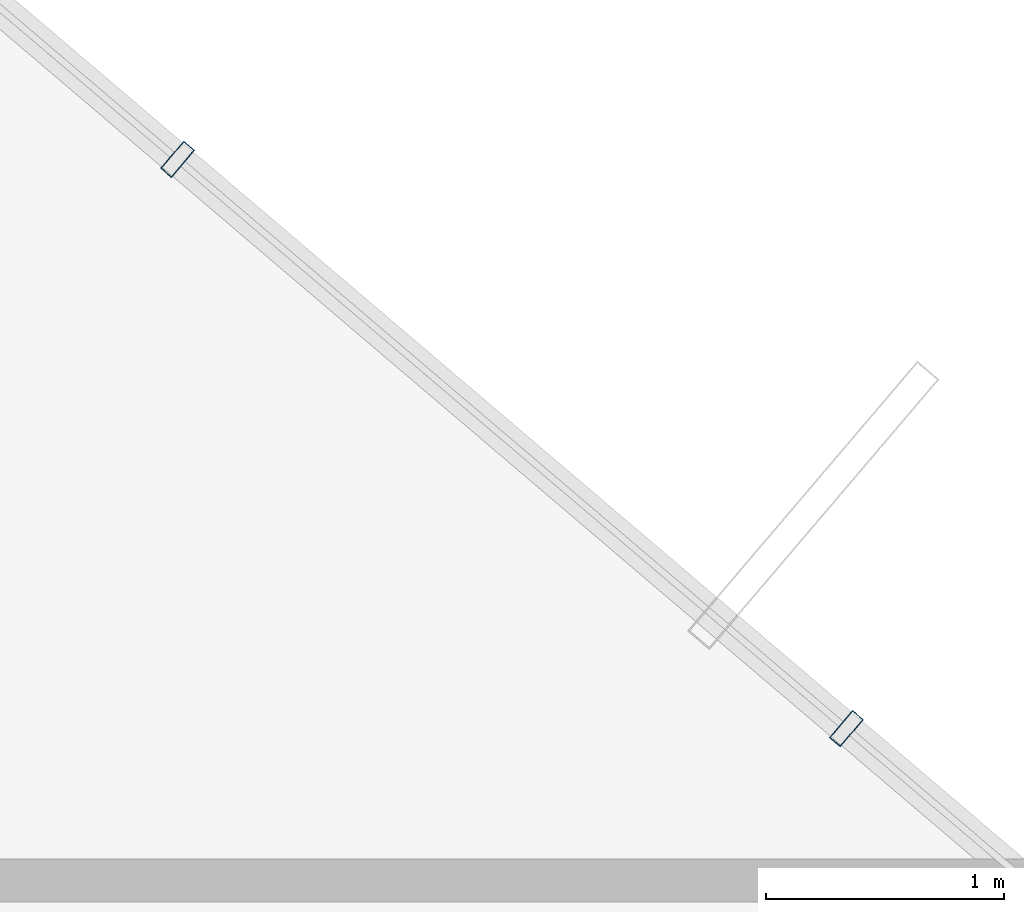
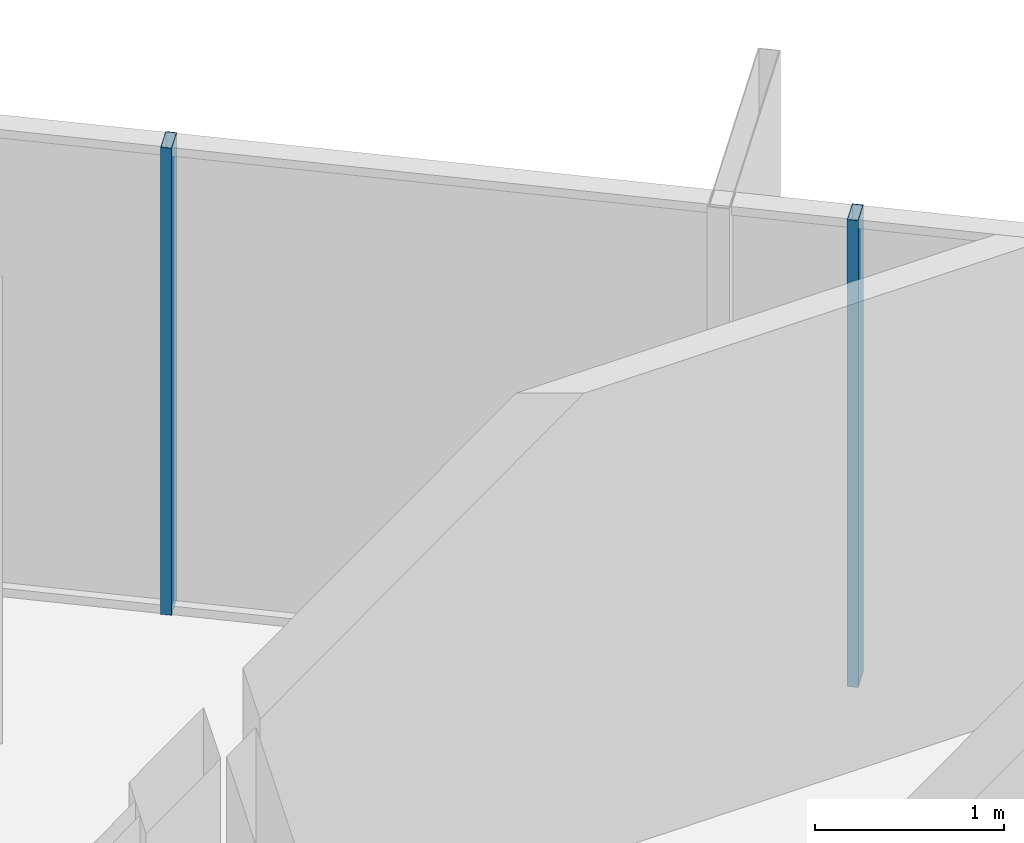
# One storey, part 16 of 29: 2 members, 1 element without a shape of its own.
"""IFC4 building model written with IfcOpenShell, lengths in metres."""

from ifc_helpers import new_model, si_unit, direction, frame, origin, origin_2d, place, context, subcontext, project, spatial, hollow_rectangle, extrude, source, transform, mapped, material, layer, layer_set, material_profile, profile_set, type_object, element, aggregate, save


model = new_model("IFC4")

# Units and contexts
model_context = context("Model", 3, precision=1e-05, world=origin(), true_north=direction((0.0, 1.0)))
body_context = subcontext(model_context, "Body", "Model", "MODEL_VIEW")
ifc_project = project(units=[si_unit("LENGTHUNIT", "METRE"), si_unit("AREAUNIT", "SQUARE_METRE"), si_unit("VOLUMEUNIT", "CUBIC_METRE"), si_unit("PLANEANGLEUNIT", "RADIAN"), si_unit("MASSUNIT", "GRAM", prefix="KILO")], contexts=[model_context])

# Site, building, storey
site_placement = place(None, origin())
site = spatial("IfcSite", under=ifc_project, at=site_placement, CompositionType="ELEMENT")
building_placement = place(site_placement, origin())
building = spatial("IfcBuilding", under=site, at=building_placement, Name="Veraguas Prism Commons", CompositionType="ELEMENT")
storey_placement = place(building_placement, frame((0.0, 0.0, 244.75)))
storey = spatial("IfcBuildingStorey", under=building, at=storey_placement, Name="L69", CompositionType="ELEMENT", Elevation=244.75)

# Curtain wall, members
ifc_material = material(Name="Anodised aluminium EN AW-6063 T6", Category="aluminium")
ifc_layer = layer(ifc_material, 0.14990234375, Name="Unitised Flush Curtain Wall Zone 4", Category="aluminium")
ifc_layer_set = layer_set([ifc_layer], Name="Anodised aluminium EN AW-6063 T6")
curtain_wall_type = type_object("IfcCurtainWallType", Name="Unitised Flush Curtain Wall Zone 4", PredefinedType="NOTDEFINED", material=ifc_layer_set)
curtain_wall_placement = place(storey_placement, origin())
curtain_wall = element("IfcCurtainWall", 1, at=curtain_wall_placement, inside=storey, type_object=curtain_wall_type, Name="Tower Facade Curtain Wall L69-F1", PredefinedType="NOTDEFINED")
ifc_material_profile = material_profile(ifc_material, hollow_rectangle(XDim=0.06005859375, YDim=0.14990234375, WallThickness=0.0029296875, at=origin_2d()), Name="AL60X150X3")
ifc_profile_set = profile_set([ifc_material_profile], Name="Anodised aluminium EN AW-6063 T6")
member_type = type_object("IfcMemberType", Name="Curtain Wall Mullion Upper AL 60x150x3", PredefinedType="MULLION", material=ifc_profile_set)
shared_shape = source(origin(), body_context, "Body", "SweptSolid", [
    extrude(hollow_rectangle(XDim=0.06005859375, YDim=0.14990234375, WallThickness=0.0029296875, at=origin_2d()), origin(), (0.0, 0.0, 1.0), 3.014892578125),
])
member_1_placement = place(storey_placement, frame((37.475830078125, 34.13818359375, 0.0), z_axis=(0.0, 0.0, 1.0), x_axis=(-0.761538307537, 0.648119901063, 0.0)))
member_1 = element("IfcMember", 2, at=member_1_placement, type_object=member_type, Name="CW-Z4 Mullion 2", PredefinedType="MULLION", context=body_context, shape_type="MappedRepresentation", body=[
    mapped(shared_shape, transform((0.0, 0.0, 0.0), scale=1.0)),
])
member_2_placement = place(storey_placement, frame((34.66455078125, 36.53076171875, 0.0), z_axis=(0.0, 0.0, 1.0), x_axis=(-0.761538307537, 0.648119901063, 0.0)))
member_2 = element("IfcMember", 3, at=member_2_placement, type_object=member_type, Name="CW-Z4 Mullion 3", PredefinedType="MULLION", context=body_context, shape_type="MappedRepresentation", body=[
    mapped(shared_shape, transform((0.0, 0.0, 0.0), scale=1.0)),
])
aggregate(curtain_wall, [member_1, member_2])

save(model, "model.ifc")
